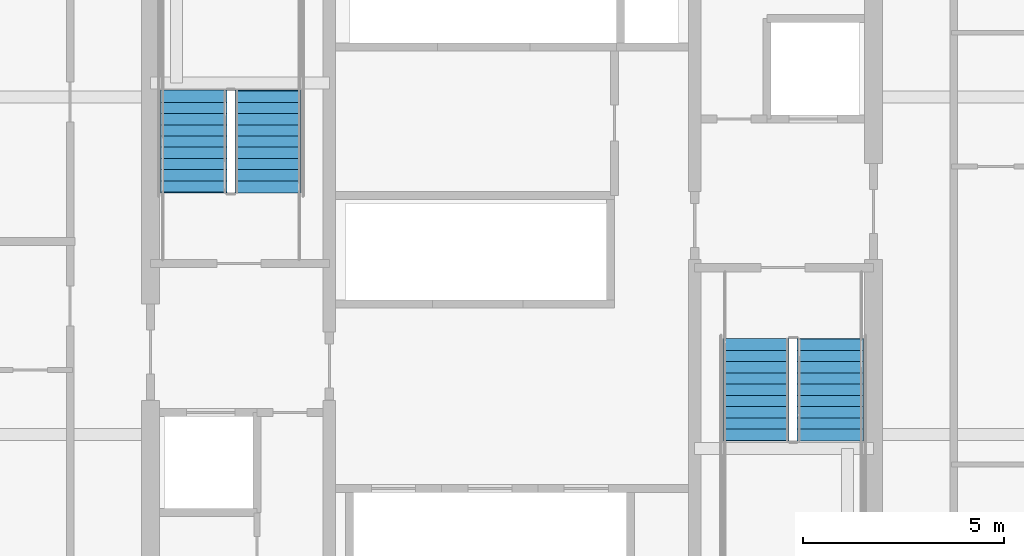
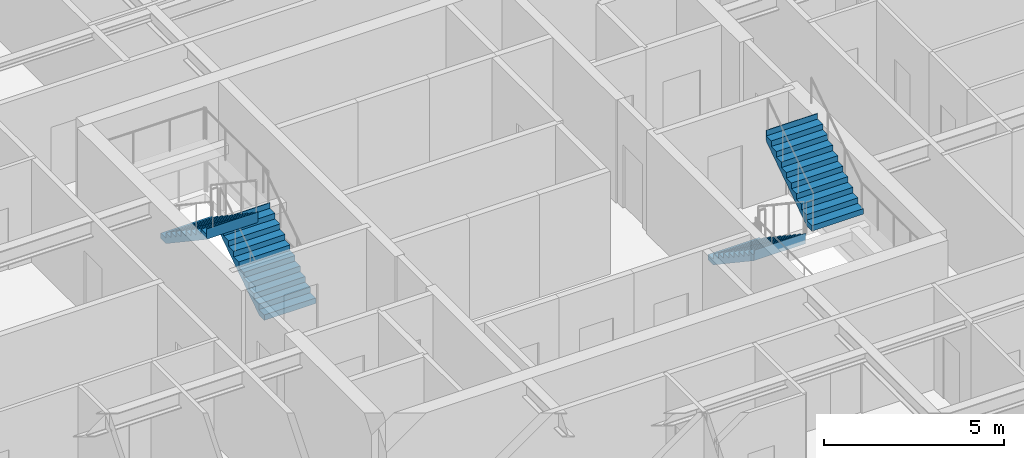
# One storey, part 33 of 39: 4 stair flights, 2 elements without a shape of their own.
"""IFC4 building model written with IfcOpenShell, lengths in metres."""

from ifc_helpers import new_model, si_unit, direction, frame, origin, place, context, subcontext, project, spatial, polygons, material, type_object, element, aggregate, save


model = new_model("IFC4")

# Units and contexts
model_context = context("Model", 3, precision=1e-05, world=origin(), true_north=direction((0.0, 1.0)))
body_context = subcontext(model_context, "Body", "Model", "MODEL_VIEW")
ifc_project = project(units=[si_unit("LENGTHUNIT", "METRE"), si_unit("AREAUNIT", "SQUARE_METRE"), si_unit("VOLUMEUNIT", "CUBIC_METRE"), si_unit("PLANEANGLEUNIT", "RADIAN"), si_unit("MASSUNIT", "GRAM", prefix="KILO")], contexts=[model_context])

# Site, building, storey
site_placement = place(None, origin())
site = spatial("IfcSite", under=ifc_project, at=site_placement, CompositionType="ELEMENT")
building_placement = place(site_placement, origin())
building = spatial("IfcBuilding", under=site, at=building_placement, Name="Serunith Strait Residences", CompositionType="ELEMENT")
storey_placement = place(building_placement, frame((0.0, 0.0, 49.199951171875)))
storey = spatial("IfcBuildingStorey", under=building, at=storey_placement, Name="L11", CompositionType="ELEMENT", Elevation=49.199951171875)

# Stair, stair flights
ifc_material = material(Name="Concrete C50/60", Category="concrete")
stair_type_1 = type_object("IfcStairType", Name="STR-CORE-1", PredefinedType="HALF_TURN_STAIR", material=ifc_material)
stair_1_placement = place(storey_placement, origin())
stair_1 = element("IfcStair", 1, at=stair_1_placement, inside=storey, type_object=stair_type_1, Name="L11 Protected Escape Stair ST-1", PredefinedType="HALF_TURN_STAIR")
stair_flight_type_1 = type_object("IfcStairFlightType", Name="FLT-CORE-1", PredefinedType="STRAIGHT", material=ifc_material)
stair_flight_1_placement = place(storey_placement, frame((26.324951171875, 27.030029296875, 0.0), z_axis=(0.0, 0.0, 1.0), x_axis=(0.0, 1.0, 0.0)))
stair_flight_1 = element("IfcStairFlight", 2, at=stair_flight_1_placement, type_object=stair_flight_type_1, Name="ST-1 flight 1", NumberOfRisers=10, NumberOfTreads=9, PredefinedType="STRAIGHT", RiserHeight=0.1875, TreadLength=0.28, context=body_context, shape_type="Tessellation", body=[
    polygons([(-0.02001953125, -0.824951171875, 0.0), (-0.02001953125, -0.824951171875, 0.1875), (0.280029296875, -0.824951171875, 0.1875), (0.280029296875, -0.824951171875, 0.375), (0.56005859375, -0.824951171875, 0.375), (0.56005859375, -0.824951171875, 0.5625), (0.840087890625, -0.824951171875, 0.5625), (0.840087890625, -0.824951171875, 0.75), (1.1201171875, -0.824951171875, 0.75), (1.1201171875, -0.824951171875, 0.9375), (1.39990234375, -0.824951171875, 0.9375), (1.39990234375, -0.824951171875, 1.125), (1.679931640625, -0.824951171875, 1.125), (1.679931640625, -0.824951171875, 1.3125), (1.9599609375, -0.824951171875, 1.3125), (1.9599609375, -0.824951171875, 1.5), (2.239990234375, -0.824951171875, 1.5), (2.239990234375, -0.824951171875, 1.6875), (2.52001953125, -0.824951171875, 1.6875), (2.52001953125, -0.824951171875, 1.875), (2.5400390625, -0.824951171875, 1.875), (2.5400390625, -0.824951171875, 1.81494140625), (2.52001953125, -0.824951171875, 1.507080078125), (0.26953125, -0.824951171875, 0.0), (-0.02001953125, -0.41259765625, 0.0), (-0.02001953125, -0.41259765625, 0.1875), (0.280029296875, -0.41259765625, 0.1875), (0.280029296875, -0.41259765625, 0.375), (0.56005859375, -0.41259765625, 0.375), (0.56005859375, -0.41259765625, 0.5625), (0.840087890625, -0.41259765625, 0.5625), (0.840087890625, -0.41259765625, 0.75), (1.1201171875, -0.41259765625, 0.75), (1.1201171875, -0.41259765625, 0.9375), (1.39990234375, -0.41259765625, 0.9375), (1.39990234375, -0.41259765625, 1.125), (1.679931640625, -0.41259765625, 1.125), (1.679931640625, -0.41259765625, 1.3125), (1.9599609375, -0.41259765625, 1.3125), (1.9599609375, -0.41259765625, 1.5), (2.239990234375, -0.41259765625, 1.5), (2.239990234375, -0.41259765625, 1.6875), (2.52001953125, -0.41259765625, 1.6875), (2.52001953125, -0.41259765625, 1.875), (2.5400390625, -0.41259765625, 1.875), (2.5400390625, -0.41259765625, 1.81494140625), (2.52001953125, -0.41259765625, 1.507080078125), (0.26953125, -0.41259765625, 0.0), (-0.02001953125, 0.0, 0.0), (-0.02001953125, 0.0, 0.1875), (0.280029296875, 0.0, 0.1875), (0.280029296875, 0.0, 0.375), (0.56005859375, 0.0, 0.375), (0.56005859375, 0.0, 0.5625), (0.840087890625, 0.0, 0.5625), (0.840087890625, 0.0, 0.75), (1.1201171875, 0.0, 0.75), (1.1201171875, 0.0, 0.9375), (1.39990234375, 0.0, 0.9375), (1.39990234375, 0.0, 1.125), (1.679931640625, 0.0, 1.125), (1.679931640625, 0.0, 1.3125), (1.9599609375, 0.0, 1.3125), (1.9599609375, 0.0, 1.5), (2.239990234375, 0.0, 1.5), (2.239990234375, 0.0, 1.6875), (2.52001953125, 0.0, 1.6875), (2.52001953125, 0.0, 1.875), (2.5400390625, 0.0, 1.875), (2.5400390625, 0.0, 1.81494140625), (2.52001953125, 0.0, 1.507080078125), (0.26953125, 0.0, 0.0), (-0.02001953125, 0.41259765625, 0.0), (-0.02001953125, 0.41259765625, 0.1875), (0.280029296875, 0.41259765625, 0.1875), (0.280029296875, 0.41259765625, 0.375), (0.56005859375, 0.41259765625, 0.375), (0.56005859375, 0.41259765625, 0.5625), (0.840087890625, 0.41259765625, 0.5625), (0.840087890625, 0.41259765625, 0.75), (1.1201171875, 0.41259765625, 0.75), (1.1201171875, 0.41259765625, 0.9375), (1.39990234375, 0.41259765625, 0.9375), (1.39990234375, 0.41259765625, 1.125), (1.679931640625, 0.41259765625, 1.125), (1.679931640625, 0.41259765625, 1.3125), (1.9599609375, 0.41259765625, 1.3125), (1.9599609375, 0.41259765625, 1.5), (2.239990234375, 0.41259765625, 1.5), (2.239990234375, 0.41259765625, 1.6875), (2.52001953125, 0.41259765625, 1.6875), (2.52001953125, 0.41259765625, 1.875), (2.5400390625, 0.41259765625, 1.875), (2.5400390625, 0.41259765625, 1.81494140625), (2.52001953125, 0.41259765625, 1.507080078125), (0.26953125, 0.41259765625, 0.0), (-0.02001953125, 0.824951171875, 0.0), (-0.02001953125, 0.824951171875, 0.1875), (0.280029296875, 0.824951171875, 0.1875), (0.280029296875, 0.824951171875, 0.375), (0.56005859375, 0.824951171875, 0.375), (0.56005859375, 0.824951171875, 0.5625), (0.840087890625, 0.824951171875, 0.5625), (0.840087890625, 0.824951171875, 0.75), (1.1201171875, 0.824951171875, 0.75), (1.1201171875, 0.824951171875, 0.9375), (1.39990234375, 0.824951171875, 0.9375), (1.39990234375, 0.824951171875, 1.125), (1.679931640625, 0.824951171875, 1.125), (1.679931640625, 0.824951171875, 1.3125), (1.9599609375, 0.824951171875, 1.3125), (1.9599609375, 0.824951171875, 1.5), (2.239990234375, 0.824951171875, 1.5), (2.239990234375, 0.824951171875, 1.6875), (2.52001953125, 0.824951171875, 1.6875), (2.52001953125, 0.824951171875, 1.875), (2.5400390625, 0.824951171875, 1.875), (2.5400390625, 0.824951171875, 1.81494140625), (2.52001953125, 0.824951171875, 1.507080078125), (0.26953125, 0.824951171875, 0.0)], [[[1, 2, 26, 25]], [[2, 3, 27, 26]], [[3, 4, 28, 27]], [[4, 5, 29, 28]], [[5, 6, 30, 29]], [[6, 7, 31, 30]], [[7, 8, 32, 31]], [[8, 9, 33, 32]], [[9, 10, 34, 33]], [[10, 11, 35, 34]], [[11, 12, 36, 35]], [[12, 13, 37, 36]], [[13, 14, 38, 37]], [[14, 15, 39, 38]], [[15, 16, 40, 39]], [[16, 17, 41, 40]], [[17, 18, 42, 41]], [[18, 19, 43, 42]], [[19, 20, 44, 43]], [[20, 21, 45, 44]], [[21, 22, 46, 45]], [[22, 23, 47, 46]], [[23, 24, 48, 47]], [[24, 1, 25, 48]], [[25, 26, 50, 49]], [[26, 27, 51, 50]], [[27, 28, 52, 51]], [[28, 29, 53, 52]], [[29, 30, 54, 53]], [[30, 31, 55, 54]], [[31, 32, 56, 55]], [[32, 33, 57, 56]], [[33, 34, 58, 57]], [[34, 35, 59, 58]], [[35, 36, 60, 59]], [[36, 37, 61, 60]], [[37, 38, 62, 61]], [[38, 39, 63, 62]], [[39, 40, 64, 63]], [[40, 41, 65, 64]], [[41, 42, 66, 65]], [[42, 43, 67, 66]], [[43, 44, 68, 67]], [[44, 45, 69, 68]], [[45, 46, 70, 69]], [[46, 47, 71, 70]], [[47, 48, 72, 71]], [[48, 25, 49, 72]], [[49, 50, 74, 73]], [[50, 51, 75, 74]], [[51, 52, 76, 75]], [[52, 53, 77, 76]], [[53, 54, 78, 77]], [[54, 55, 79, 78]], [[55, 56, 80, 79]], [[56, 57, 81, 80]], [[57, 58, 82, 81]], [[58, 59, 83, 82]], [[59, 60, 84, 83]], [[60, 61, 85, 84]], [[61, 62, 86, 85]], [[62, 63, 87, 86]], [[63, 64, 88, 87]], [[64, 65, 89, 88]], [[65, 66, 90, 89]], [[66, 67, 91, 90]], [[67, 68, 92, 91]], [[68, 69, 93, 92]], [[69, 70, 94, 93]], [[70, 71, 95, 94]], [[71, 72, 96, 95]], [[72, 49, 73, 96]], [[73, 74, 98, 97]], [[74, 75, 99, 98]], [[75, 76, 100, 99]], [[76, 77, 101, 100]], [[77, 78, 102, 101]], [[78, 79, 103, 102]], [[79, 80, 104, 103]], [[80, 81, 105, 104]], [[81, 82, 106, 105]], [[82, 83, 107, 106]], [[83, 84, 108, 107]], [[84, 85, 109, 108]], [[85, 86, 110, 109]], [[86, 87, 111, 110]], [[87, 88, 112, 111]], [[88, 89, 113, 112]], [[89, 90, 114, 113]], [[90, 91, 115, 114]], [[91, 92, 116, 115]], [[92, 93, 117, 116]], [[93, 94, 118, 117]], [[94, 95, 119, 118]], [[95, 96, 120, 119]], [[96, 73, 97, 120]], [[24, 23, 22, 21, 20, 19, 18, 17, 16, 15, 14, 13, 12, 11, 10, 9, 8, 7, 6, 5, 4, 3, 2, 1]], [[97, 98, 99, 100, 101, 102, 103, 104, 105, 106, 107, 108, 109, 110, 111, 112, 113, 114, 115, 116, 117, 118, 119, 120]]], closed=True),
])
stair_flight_2_placement = place(storey_placement, frame((24.47509765625, 29.550048828125, 1.875), z_axis=(0.0, 0.0, 1.0), x_axis=(0.0, -1.0, 0.0)))
stair_flight_2 = element("IfcStairFlight", 3, at=stair_flight_2_placement, type_object=stair_flight_type_1, Name="ST-1 flight 2", NumberOfRisers=10, NumberOfTreads=9, PredefinedType="STRAIGHT", RiserHeight=0.1875, TreadLength=0.28, context=body_context, shape_type="Tessellation", body=[
    polygons([(-0.02001953125, -0.824951171875, 0.0), (-0.02001953125, -0.824951171875, 0.1875), (0.280029296875, -0.824951171875, 0.1875), (0.280029296875, -0.824951171875, 0.375), (0.56005859375, -0.824951171875, 0.375), (0.56005859375, -0.824951171875, 0.5625), (0.840087890625, -0.824951171875, 0.5625), (0.840087890625, -0.824951171875, 0.75), (1.1201171875, -0.824951171875, 0.75), (1.1201171875, -0.824951171875, 0.9375), (1.39990234375, -0.824951171875, 0.9375), (1.39990234375, -0.824951171875, 1.125), (1.679931640625, -0.824951171875, 1.125), (1.679931640625, -0.824951171875, 1.3125), (1.9599609375, -0.824951171875, 1.3125), (1.9599609375, -0.824951171875, 1.5), (2.239990234375, -0.824951171875, 1.5), (2.239990234375, -0.824951171875, 1.6875), (2.52001953125, -0.824951171875, 1.6875), (2.52001953125, -0.824951171875, 1.875), (2.5400390625, -0.824951171875, 1.875), (2.5400390625, -0.824951171875, 1.81494140625), (2.52001953125, -0.824951171875, 1.507080078125), (0.26953125, -0.824951171875, 0.0), (-0.02001953125, -0.41259765625, 0.0), (-0.02001953125, -0.41259765625, 0.1875), (0.280029296875, -0.41259765625, 0.1875), (0.280029296875, -0.41259765625, 0.375), (0.56005859375, -0.41259765625, 0.375), (0.56005859375, -0.41259765625, 0.5625), (0.840087890625, -0.41259765625, 0.5625), (0.840087890625, -0.41259765625, 0.75), (1.1201171875, -0.41259765625, 0.75), (1.1201171875, -0.41259765625, 0.9375), (1.39990234375, -0.41259765625, 0.9375), (1.39990234375, -0.41259765625, 1.125), (1.679931640625, -0.41259765625, 1.125), (1.679931640625, -0.41259765625, 1.3125), (1.9599609375, -0.41259765625, 1.3125), (1.9599609375, -0.41259765625, 1.5), (2.239990234375, -0.41259765625, 1.5), (2.239990234375, -0.41259765625, 1.6875), (2.52001953125, -0.41259765625, 1.6875), (2.52001953125, -0.41259765625, 1.875), (2.5400390625, -0.41259765625, 1.875), (2.5400390625, -0.41259765625, 1.81494140625), (2.52001953125, -0.41259765625, 1.507080078125), (0.26953125, -0.41259765625, 0.0), (-0.02001953125, 0.0, 0.0), (-0.02001953125, 0.0, 0.1875), (0.280029296875, 0.0, 0.1875), (0.280029296875, 0.0, 0.375), (0.56005859375, 0.0, 0.375), (0.56005859375, 0.0, 0.5625), (0.840087890625, 0.0, 0.5625), (0.840087890625, 0.0, 0.75), (1.1201171875, 0.0, 0.75), (1.1201171875, 0.0, 0.9375), (1.39990234375, 0.0, 0.9375), (1.39990234375, 0.0, 1.125), (1.679931640625, 0.0, 1.125), (1.679931640625, 0.0, 1.3125), (1.9599609375, 0.0, 1.3125), (1.9599609375, 0.0, 1.5), (2.239990234375, 0.0, 1.5), (2.239990234375, 0.0, 1.6875), (2.52001953125, 0.0, 1.6875), (2.52001953125, 0.0, 1.875), (2.5400390625, 0.0, 1.875), (2.5400390625, 0.0, 1.81494140625), (2.52001953125, 0.0, 1.507080078125), (0.26953125, 0.0, 0.0), (-0.02001953125, 0.41259765625, 0.0), (-0.02001953125, 0.41259765625, 0.1875), (0.280029296875, 0.41259765625, 0.1875), (0.280029296875, 0.41259765625, 0.375), (0.56005859375, 0.41259765625, 0.375), (0.56005859375, 0.41259765625, 0.5625), (0.840087890625, 0.41259765625, 0.5625), (0.840087890625, 0.41259765625, 0.75), (1.1201171875, 0.41259765625, 0.75), (1.1201171875, 0.41259765625, 0.9375), (1.39990234375, 0.41259765625, 0.9375), (1.39990234375, 0.41259765625, 1.125), (1.679931640625, 0.41259765625, 1.125), (1.679931640625, 0.41259765625, 1.3125), (1.9599609375, 0.41259765625, 1.3125), (1.9599609375, 0.41259765625, 1.5), (2.239990234375, 0.41259765625, 1.5), (2.239990234375, 0.41259765625, 1.6875), (2.52001953125, 0.41259765625, 1.6875), (2.52001953125, 0.41259765625, 1.875), (2.5400390625, 0.41259765625, 1.875), (2.5400390625, 0.41259765625, 1.81494140625), (2.52001953125, 0.41259765625, 1.507080078125), (0.26953125, 0.41259765625, 0.0), (-0.02001953125, 0.824951171875, 0.0), (-0.02001953125, 0.824951171875, 0.1875), (0.280029296875, 0.824951171875, 0.1875), (0.280029296875, 0.824951171875, 0.375), (0.56005859375, 0.824951171875, 0.375), (0.56005859375, 0.824951171875, 0.5625), (0.840087890625, 0.824951171875, 0.5625), (0.840087890625, 0.824951171875, 0.75), (1.1201171875, 0.824951171875, 0.75), (1.1201171875, 0.824951171875, 0.9375), (1.39990234375, 0.824951171875, 0.9375), (1.39990234375, 0.824951171875, 1.125), (1.679931640625, 0.824951171875, 1.125), (1.679931640625, 0.824951171875, 1.3125), (1.9599609375, 0.824951171875, 1.3125), (1.9599609375, 0.824951171875, 1.5), (2.239990234375, 0.824951171875, 1.5), (2.239990234375, 0.824951171875, 1.6875), (2.52001953125, 0.824951171875, 1.6875), (2.52001953125, 0.824951171875, 1.875), (2.5400390625, 0.824951171875, 1.875), (2.5400390625, 0.824951171875, 1.81494140625), (2.52001953125, 0.824951171875, 1.507080078125), (0.26953125, 0.824951171875, 0.0)], [[[1, 2, 26, 25]], [[2, 3, 27, 26]], [[3, 4, 28, 27]], [[4, 5, 29, 28]], [[5, 6, 30, 29]], [[6, 7, 31, 30]], [[7, 8, 32, 31]], [[8, 9, 33, 32]], [[9, 10, 34, 33]], [[10, 11, 35, 34]], [[11, 12, 36, 35]], [[12, 13, 37, 36]], [[13, 14, 38, 37]], [[14, 15, 39, 38]], [[15, 16, 40, 39]], [[16, 17, 41, 40]], [[17, 18, 42, 41]], [[18, 19, 43, 42]], [[19, 20, 44, 43]], [[20, 21, 45, 44]], [[21, 22, 46, 45]], [[22, 23, 47, 46]], [[23, 24, 48, 47]], [[24, 1, 25, 48]], [[25, 26, 50, 49]], [[26, 27, 51, 50]], [[27, 28, 52, 51]], [[28, 29, 53, 52]], [[29, 30, 54, 53]], [[30, 31, 55, 54]], [[31, 32, 56, 55]], [[32, 33, 57, 56]], [[33, 34, 58, 57]], [[34, 35, 59, 58]], [[35, 36, 60, 59]], [[36, 37, 61, 60]], [[37, 38, 62, 61]], [[38, 39, 63, 62]], [[39, 40, 64, 63]], [[40, 41, 65, 64]], [[41, 42, 66, 65]], [[42, 43, 67, 66]], [[43, 44, 68, 67]], [[44, 45, 69, 68]], [[45, 46, 70, 69]], [[46, 47, 71, 70]], [[47, 48, 72, 71]], [[48, 25, 49, 72]], [[49, 50, 74, 73]], [[50, 51, 75, 74]], [[51, 52, 76, 75]], [[52, 53, 77, 76]], [[53, 54, 78, 77]], [[54, 55, 79, 78]], [[55, 56, 80, 79]], [[56, 57, 81, 80]], [[57, 58, 82, 81]], [[58, 59, 83, 82]], [[59, 60, 84, 83]], [[60, 61, 85, 84]], [[61, 62, 86, 85]], [[62, 63, 87, 86]], [[63, 64, 88, 87]], [[64, 65, 89, 88]], [[65, 66, 90, 89]], [[66, 67, 91, 90]], [[67, 68, 92, 91]], [[68, 69, 93, 92]], [[69, 70, 94, 93]], [[70, 71, 95, 94]], [[71, 72, 96, 95]], [[72, 49, 73, 96]], [[73, 74, 98, 97]], [[74, 75, 99, 98]], [[75, 76, 100, 99]], [[76, 77, 101, 100]], [[77, 78, 102, 101]], [[78, 79, 103, 102]], [[79, 80, 104, 103]], [[80, 81, 105, 104]], [[81, 82, 106, 105]], [[82, 83, 107, 106]], [[83, 84, 108, 107]], [[84, 85, 109, 108]], [[85, 86, 110, 109]], [[86, 87, 111, 110]], [[87, 88, 112, 111]], [[88, 89, 113, 112]], [[89, 90, 114, 113]], [[90, 91, 115, 114]], [[91, 92, 116, 115]], [[92, 93, 117, 116]], [[93, 94, 118, 117]], [[94, 95, 119, 118]], [[95, 96, 120, 119]], [[96, 73, 97, 120]], [[24, 23, 22, 21, 20, 19, 18, 17, 16, 15, 14, 13, 12, 11, 10, 9, 8, 7, 6, 5, 4, 3, 2, 1]], [[97, 98, 99, 100, 101, 102, 103, 104, 105, 106, 107, 108, 109, 110, 111, 112, 113, 114, 115, 116, 117, 118, 119, 120]]], closed=True),
])
aggregate(stair_1, [stair_flight_1, stair_flight_2])

stair_type_2 = type_object("IfcStairType", Name="STR-CORE-2", PredefinedType="HALF_TURN_STAIR", material=ifc_material)
stair_2_placement = place(storey_placement, origin())
stair_2 = element("IfcStair", 4, at=stair_2_placement, inside=storey, type_object=stair_type_2, Name="L11 Protected Escape Stair ST-2", PredefinedType="HALF_TURN_STAIR")
stair_flight_type_2 = type_object("IfcStairFlightType", Name="FLT-CORE-2", PredefinedType="STRAIGHT", material=ifc_material)
stair_flight_3_placement = place(storey_placement, frame((38.47509765625, 23.3701171875, 0.0), z_axis=(0.0, 0.0, 1.0), x_axis=(0.0, -1.0, 0.0)))
stair_flight_3 = element("IfcStairFlight", 5, at=stair_flight_3_placement, type_object=stair_flight_type_2, Name="ST-2 flight 1", NumberOfRisers=10, NumberOfTreads=9, PredefinedType="STRAIGHT", RiserHeight=0.1875, TreadLength=0.28, context=body_context, shape_type="Tessellation", body=[
    polygons([(-0.02001953125, -0.824951171875, 0.0), (-0.02001953125, -0.824951171875, 0.1875), (0.280029296875, -0.824951171875, 0.1875), (0.280029296875, -0.824951171875, 0.375), (0.56005859375, -0.824951171875, 0.375), (0.56005859375, -0.824951171875, 0.5625), (0.840087890625, -0.824951171875, 0.5625), (0.840087890625, -0.824951171875, 0.75), (1.1201171875, -0.824951171875, 0.75), (1.1201171875, -0.824951171875, 0.9375), (1.39990234375, -0.824951171875, 0.9375), (1.39990234375, -0.824951171875, 1.125), (1.679931640625, -0.824951171875, 1.125), (1.679931640625, -0.824951171875, 1.3125), (1.9599609375, -0.824951171875, 1.3125), (1.9599609375, -0.824951171875, 1.5), (2.239990234375, -0.824951171875, 1.5), (2.239990234375, -0.824951171875, 1.6875), (2.52001953125, -0.824951171875, 1.6875), (2.52001953125, -0.824951171875, 1.875), (2.5400390625, -0.824951171875, 1.875), (2.5400390625, -0.824951171875, 1.81494140625), (2.52001953125, -0.824951171875, 1.507080078125), (0.26953125, -0.824951171875, 0.0), (-0.02001953125, -0.41259765625, 0.0), (-0.02001953125, -0.41259765625, 0.1875), (0.280029296875, -0.41259765625, 0.1875), (0.280029296875, -0.41259765625, 0.375), (0.56005859375, -0.41259765625, 0.375), (0.56005859375, -0.41259765625, 0.5625), (0.840087890625, -0.41259765625, 0.5625), (0.840087890625, -0.41259765625, 0.75), (1.1201171875, -0.41259765625, 0.75), (1.1201171875, -0.41259765625, 0.9375), (1.39990234375, -0.41259765625, 0.9375), (1.39990234375, -0.41259765625, 1.125), (1.679931640625, -0.41259765625, 1.125), (1.679931640625, -0.41259765625, 1.3125), (1.9599609375, -0.41259765625, 1.3125), (1.9599609375, -0.41259765625, 1.5), (2.239990234375, -0.41259765625, 1.5), (2.239990234375, -0.41259765625, 1.6875), (2.52001953125, -0.41259765625, 1.6875), (2.52001953125, -0.41259765625, 1.875), (2.5400390625, -0.41259765625, 1.875), (2.5400390625, -0.41259765625, 1.81494140625), (2.52001953125, -0.41259765625, 1.507080078125), (0.26953125, -0.41259765625, 0.0), (-0.02001953125, 0.0, 0.0), (-0.02001953125, 0.0, 0.1875), (0.280029296875, 0.0, 0.1875), (0.280029296875, 0.0, 0.375), (0.56005859375, 0.0, 0.375), (0.56005859375, 0.0, 0.5625), (0.840087890625, 0.0, 0.5625), (0.840087890625, 0.0, 0.75), (1.1201171875, 0.0, 0.75), (1.1201171875, 0.0, 0.9375), (1.39990234375, 0.0, 0.9375), (1.39990234375, 0.0, 1.125), (1.679931640625, 0.0, 1.125), (1.679931640625, 0.0, 1.3125), (1.9599609375, 0.0, 1.3125), (1.9599609375, 0.0, 1.5), (2.239990234375, 0.0, 1.5), (2.239990234375, 0.0, 1.6875), (2.52001953125, 0.0, 1.6875), (2.52001953125, 0.0, 1.875), (2.5400390625, 0.0, 1.875), (2.5400390625, 0.0, 1.81494140625), (2.52001953125, 0.0, 1.507080078125), (0.26953125, 0.0, 0.0), (-0.02001953125, 0.41259765625, 0.0), (-0.02001953125, 0.41259765625, 0.1875), (0.280029296875, 0.41259765625, 0.1875), (0.280029296875, 0.41259765625, 0.375), (0.56005859375, 0.41259765625, 0.375), (0.56005859375, 0.41259765625, 0.5625), (0.840087890625, 0.41259765625, 0.5625), (0.840087890625, 0.41259765625, 0.75), (1.1201171875, 0.41259765625, 0.75), (1.1201171875, 0.41259765625, 0.9375), (1.39990234375, 0.41259765625, 0.9375), (1.39990234375, 0.41259765625, 1.125), (1.679931640625, 0.41259765625, 1.125), (1.679931640625, 0.41259765625, 1.3125), (1.9599609375, 0.41259765625, 1.3125), (1.9599609375, 0.41259765625, 1.5), (2.239990234375, 0.41259765625, 1.5), (2.239990234375, 0.41259765625, 1.6875), (2.52001953125, 0.41259765625, 1.6875), (2.52001953125, 0.41259765625, 1.875), (2.5400390625, 0.41259765625, 1.875), (2.5400390625, 0.41259765625, 1.81494140625), (2.52001953125, 0.41259765625, 1.507080078125), (0.26953125, 0.41259765625, 0.0), (-0.02001953125, 0.824951171875, 0.0), (-0.02001953125, 0.824951171875, 0.1875), (0.280029296875, 0.824951171875, 0.1875), (0.280029296875, 0.824951171875, 0.375), (0.56005859375, 0.824951171875, 0.375), (0.56005859375, 0.824951171875, 0.5625), (0.840087890625, 0.824951171875, 0.5625), (0.840087890625, 0.824951171875, 0.75), (1.1201171875, 0.824951171875, 0.75), (1.1201171875, 0.824951171875, 0.9375), (1.39990234375, 0.824951171875, 0.9375), (1.39990234375, 0.824951171875, 1.125), (1.679931640625, 0.824951171875, 1.125), (1.679931640625, 0.824951171875, 1.3125), (1.9599609375, 0.824951171875, 1.3125), (1.9599609375, 0.824951171875, 1.5), (2.239990234375, 0.824951171875, 1.5), (2.239990234375, 0.824951171875, 1.6875), (2.52001953125, 0.824951171875, 1.6875), (2.52001953125, 0.824951171875, 1.875), (2.5400390625, 0.824951171875, 1.875), (2.5400390625, 0.824951171875, 1.81494140625), (2.52001953125, 0.824951171875, 1.507080078125), (0.26953125, 0.824951171875, 0.0)], [[[1, 2, 26, 25]], [[2, 3, 27, 26]], [[3, 4, 28, 27]], [[4, 5, 29, 28]], [[5, 6, 30, 29]], [[6, 7, 31, 30]], [[7, 8, 32, 31]], [[8, 9, 33, 32]], [[9, 10, 34, 33]], [[10, 11, 35, 34]], [[11, 12, 36, 35]], [[12, 13, 37, 36]], [[13, 14, 38, 37]], [[14, 15, 39, 38]], [[15, 16, 40, 39]], [[16, 17, 41, 40]], [[17, 18, 42, 41]], [[18, 19, 43, 42]], [[19, 20, 44, 43]], [[20, 21, 45, 44]], [[21, 22, 46, 45]], [[22, 23, 47, 46]], [[23, 24, 48, 47]], [[24, 1, 25, 48]], [[25, 26, 50, 49]], [[26, 27, 51, 50]], [[27, 28, 52, 51]], [[28, 29, 53, 52]], [[29, 30, 54, 53]], [[30, 31, 55, 54]], [[31, 32, 56, 55]], [[32, 33, 57, 56]], [[33, 34, 58, 57]], [[34, 35, 59, 58]], [[35, 36, 60, 59]], [[36, 37, 61, 60]], [[37, 38, 62, 61]], [[38, 39, 63, 62]], [[39, 40, 64, 63]], [[40, 41, 65, 64]], [[41, 42, 66, 65]], [[42, 43, 67, 66]], [[43, 44, 68, 67]], [[44, 45, 69, 68]], [[45, 46, 70, 69]], [[46, 47, 71, 70]], [[47, 48, 72, 71]], [[48, 25, 49, 72]], [[49, 50, 74, 73]], [[50, 51, 75, 74]], [[51, 52, 76, 75]], [[52, 53, 77, 76]], [[53, 54, 78, 77]], [[54, 55, 79, 78]], [[55, 56, 80, 79]], [[56, 57, 81, 80]], [[57, 58, 82, 81]], [[58, 59, 83, 82]], [[59, 60, 84, 83]], [[60, 61, 85, 84]], [[61, 62, 86, 85]], [[62, 63, 87, 86]], [[63, 64, 88, 87]], [[64, 65, 89, 88]], [[65, 66, 90, 89]], [[66, 67, 91, 90]], [[67, 68, 92, 91]], [[68, 69, 93, 92]], [[69, 70, 94, 93]], [[70, 71, 95, 94]], [[71, 72, 96, 95]], [[72, 49, 73, 96]], [[73, 74, 98, 97]], [[74, 75, 99, 98]], [[75, 76, 100, 99]], [[76, 77, 101, 100]], [[77, 78, 102, 101]], [[78, 79, 103, 102]], [[79, 80, 104, 103]], [[80, 81, 105, 104]], [[81, 82, 106, 105]], [[82, 83, 107, 106]], [[83, 84, 108, 107]], [[84, 85, 109, 108]], [[85, 86, 110, 109]], [[86, 87, 111, 110]], [[87, 88, 112, 111]], [[88, 89, 113, 112]], [[89, 90, 114, 113]], [[90, 91, 115, 114]], [[91, 92, 116, 115]], [[92, 93, 117, 116]], [[93, 94, 118, 117]], [[94, 95, 119, 118]], [[95, 96, 120, 119]], [[96, 73, 97, 120]], [[24, 23, 22, 21, 20, 19, 18, 17, 16, 15, 14, 13, 12, 11, 10, 9, 8, 7, 6, 5, 4, 3, 2, 1]], [[97, 98, 99, 100, 101, 102, 103, 104, 105, 106, 107, 108, 109, 110, 111, 112, 113, 114, 115, 116, 117, 118, 119, 120]]], closed=True),
])
stair_flight_4_placement = place(storey_placement, frame((40.324951171875, 20.85009765625, 1.875), z_axis=(0.0, 0.0, 1.0), x_axis=(0.0, 1.0, 0.0)))
stair_flight_4 = element("IfcStairFlight", 6, at=stair_flight_4_placement, type_object=stair_flight_type_2, Name="ST-2 flight 2", NumberOfRisers=10, NumberOfTreads=9, PredefinedType="STRAIGHT", RiserHeight=0.1875, TreadLength=0.28, context=body_context, shape_type="Tessellation", body=[
    polygons([(-0.02001953125, -0.824951171875, 0.0), (-0.02001953125, -0.824951171875, 0.1875), (0.280029296875, -0.824951171875, 0.1875), (0.280029296875, -0.824951171875, 0.375), (0.56005859375, -0.824951171875, 0.375), (0.56005859375, -0.824951171875, 0.5625), (0.840087890625, -0.824951171875, 0.5625), (0.840087890625, -0.824951171875, 0.75), (1.1201171875, -0.824951171875, 0.75), (1.1201171875, -0.824951171875, 0.9375), (1.39990234375, -0.824951171875, 0.9375), (1.39990234375, -0.824951171875, 1.125), (1.679931640625, -0.824951171875, 1.125), (1.679931640625, -0.824951171875, 1.3125), (1.9599609375, -0.824951171875, 1.3125), (1.9599609375, -0.824951171875, 1.5), (2.239990234375, -0.824951171875, 1.5), (2.239990234375, -0.824951171875, 1.6875), (2.52001953125, -0.824951171875, 1.6875), (2.52001953125, -0.824951171875, 1.875), (2.5400390625, -0.824951171875, 1.875), (2.5400390625, -0.824951171875, 1.81494140625), (2.52001953125, -0.824951171875, 1.507080078125), (0.26953125, -0.824951171875, 0.0), (-0.02001953125, -0.41259765625, 0.0), (-0.02001953125, -0.41259765625, 0.1875), (0.280029296875, -0.41259765625, 0.1875), (0.280029296875, -0.41259765625, 0.375), (0.56005859375, -0.41259765625, 0.375), (0.56005859375, -0.41259765625, 0.5625), (0.840087890625, -0.41259765625, 0.5625), (0.840087890625, -0.41259765625, 0.75), (1.1201171875, -0.41259765625, 0.75), (1.1201171875, -0.41259765625, 0.9375), (1.39990234375, -0.41259765625, 0.9375), (1.39990234375, -0.41259765625, 1.125), (1.679931640625, -0.41259765625, 1.125), (1.679931640625, -0.41259765625, 1.3125), (1.9599609375, -0.41259765625, 1.3125), (1.9599609375, -0.41259765625, 1.5), (2.239990234375, -0.41259765625, 1.5), (2.239990234375, -0.41259765625, 1.6875), (2.52001953125, -0.41259765625, 1.6875), (2.52001953125, -0.41259765625, 1.875), (2.5400390625, -0.41259765625, 1.875), (2.5400390625, -0.41259765625, 1.81494140625), (2.52001953125, -0.41259765625, 1.507080078125), (0.26953125, -0.41259765625, 0.0), (-0.02001953125, 0.0, 0.0), (-0.02001953125, 0.0, 0.1875), (0.280029296875, 0.0, 0.1875), (0.280029296875, 0.0, 0.375), (0.56005859375, 0.0, 0.375), (0.56005859375, 0.0, 0.5625), (0.840087890625, 0.0, 0.5625), (0.840087890625, 0.0, 0.75), (1.1201171875, 0.0, 0.75), (1.1201171875, 0.0, 0.9375), (1.39990234375, 0.0, 0.9375), (1.39990234375, 0.0, 1.125), (1.679931640625, 0.0, 1.125), (1.679931640625, 0.0, 1.3125), (1.9599609375, 0.0, 1.3125), (1.9599609375, 0.0, 1.5), (2.239990234375, 0.0, 1.5), (2.239990234375, 0.0, 1.6875), (2.52001953125, 0.0, 1.6875), (2.52001953125, 0.0, 1.875), (2.5400390625, 0.0, 1.875), (2.5400390625, 0.0, 1.81494140625), (2.52001953125, 0.0, 1.507080078125), (0.26953125, 0.0, 0.0), (-0.02001953125, 0.41259765625, 0.0), (-0.02001953125, 0.41259765625, 0.1875), (0.280029296875, 0.41259765625, 0.1875), (0.280029296875, 0.41259765625, 0.375), (0.56005859375, 0.41259765625, 0.375), (0.56005859375, 0.41259765625, 0.5625), (0.840087890625, 0.41259765625, 0.5625), (0.840087890625, 0.41259765625, 0.75), (1.1201171875, 0.41259765625, 0.75), (1.1201171875, 0.41259765625, 0.9375), (1.39990234375, 0.41259765625, 0.9375), (1.39990234375, 0.41259765625, 1.125), (1.679931640625, 0.41259765625, 1.125), (1.679931640625, 0.41259765625, 1.3125), (1.9599609375, 0.41259765625, 1.3125), (1.9599609375, 0.41259765625, 1.5), (2.239990234375, 0.41259765625, 1.5), (2.239990234375, 0.41259765625, 1.6875), (2.52001953125, 0.41259765625, 1.6875), (2.52001953125, 0.41259765625, 1.875), (2.5400390625, 0.41259765625, 1.875), (2.5400390625, 0.41259765625, 1.81494140625), (2.52001953125, 0.41259765625, 1.507080078125), (0.26953125, 0.41259765625, 0.0), (-0.02001953125, 0.824951171875, 0.0), (-0.02001953125, 0.824951171875, 0.1875), (0.280029296875, 0.824951171875, 0.1875), (0.280029296875, 0.824951171875, 0.375), (0.56005859375, 0.824951171875, 0.375), (0.56005859375, 0.824951171875, 0.5625), (0.840087890625, 0.824951171875, 0.5625), (0.840087890625, 0.824951171875, 0.75), (1.1201171875, 0.824951171875, 0.75), (1.1201171875, 0.824951171875, 0.9375), (1.39990234375, 0.824951171875, 0.9375), (1.39990234375, 0.824951171875, 1.125), (1.679931640625, 0.824951171875, 1.125), (1.679931640625, 0.824951171875, 1.3125), (1.9599609375, 0.824951171875, 1.3125), (1.9599609375, 0.824951171875, 1.5), (2.239990234375, 0.824951171875, 1.5), (2.239990234375, 0.824951171875, 1.6875), (2.52001953125, 0.824951171875, 1.6875), (2.52001953125, 0.824951171875, 1.875), (2.5400390625, 0.824951171875, 1.875), (2.5400390625, 0.824951171875, 1.81494140625), (2.52001953125, 0.824951171875, 1.507080078125), (0.26953125, 0.824951171875, 0.0)], [[[1, 2, 26, 25]], [[2, 3, 27, 26]], [[3, 4, 28, 27]], [[4, 5, 29, 28]], [[5, 6, 30, 29]], [[6, 7, 31, 30]], [[7, 8, 32, 31]], [[8, 9, 33, 32]], [[9, 10, 34, 33]], [[10, 11, 35, 34]], [[11, 12, 36, 35]], [[12, 13, 37, 36]], [[13, 14, 38, 37]], [[14, 15, 39, 38]], [[15, 16, 40, 39]], [[16, 17, 41, 40]], [[17, 18, 42, 41]], [[18, 19, 43, 42]], [[19, 20, 44, 43]], [[20, 21, 45, 44]], [[21, 22, 46, 45]], [[22, 23, 47, 46]], [[23, 24, 48, 47]], [[24, 1, 25, 48]], [[25, 26, 50, 49]], [[26, 27, 51, 50]], [[27, 28, 52, 51]], [[28, 29, 53, 52]], [[29, 30, 54, 53]], [[30, 31, 55, 54]], [[31, 32, 56, 55]], [[32, 33, 57, 56]], [[33, 34, 58, 57]], [[34, 35, 59, 58]], [[35, 36, 60, 59]], [[36, 37, 61, 60]], [[37, 38, 62, 61]], [[38, 39, 63, 62]], [[39, 40, 64, 63]], [[40, 41, 65, 64]], [[41, 42, 66, 65]], [[42, 43, 67, 66]], [[43, 44, 68, 67]], [[44, 45, 69, 68]], [[45, 46, 70, 69]], [[46, 47, 71, 70]], [[47, 48, 72, 71]], [[48, 25, 49, 72]], [[49, 50, 74, 73]], [[50, 51, 75, 74]], [[51, 52, 76, 75]], [[52, 53, 77, 76]], [[53, 54, 78, 77]], [[54, 55, 79, 78]], [[55, 56, 80, 79]], [[56, 57, 81, 80]], [[57, 58, 82, 81]], [[58, 59, 83, 82]], [[59, 60, 84, 83]], [[60, 61, 85, 84]], [[61, 62, 86, 85]], [[62, 63, 87, 86]], [[63, 64, 88, 87]], [[64, 65, 89, 88]], [[65, 66, 90, 89]], [[66, 67, 91, 90]], [[67, 68, 92, 91]], [[68, 69, 93, 92]], [[69, 70, 94, 93]], [[70, 71, 95, 94]], [[71, 72, 96, 95]], [[72, 49, 73, 96]], [[73, 74, 98, 97]], [[74, 75, 99, 98]], [[75, 76, 100, 99]], [[76, 77, 101, 100]], [[77, 78, 102, 101]], [[78, 79, 103, 102]], [[79, 80, 104, 103]], [[80, 81, 105, 104]], [[81, 82, 106, 105]], [[82, 83, 107, 106]], [[83, 84, 108, 107]], [[84, 85, 109, 108]], [[85, 86, 110, 109]], [[86, 87, 111, 110]], [[87, 88, 112, 111]], [[88, 89, 113, 112]], [[89, 90, 114, 113]], [[90, 91, 115, 114]], [[91, 92, 116, 115]], [[92, 93, 117, 116]], [[93, 94, 118, 117]], [[94, 95, 119, 118]], [[95, 96, 120, 119]], [[96, 73, 97, 120]], [[24, 23, 22, 21, 20, 19, 18, 17, 16, 15, 14, 13, 12, 11, 10, 9, 8, 7, 6, 5, 4, 3, 2, 1]], [[97, 98, 99, 100, 101, 102, 103, 104, 105, 106, 107, 108, 109, 110, 111, 112, 113, 114, 115, 116, 117, 118, 119, 120]]], closed=True),
])
aggregate(stair_2, [stair_flight_3, stair_flight_4])

save(model, "model.ifc")
